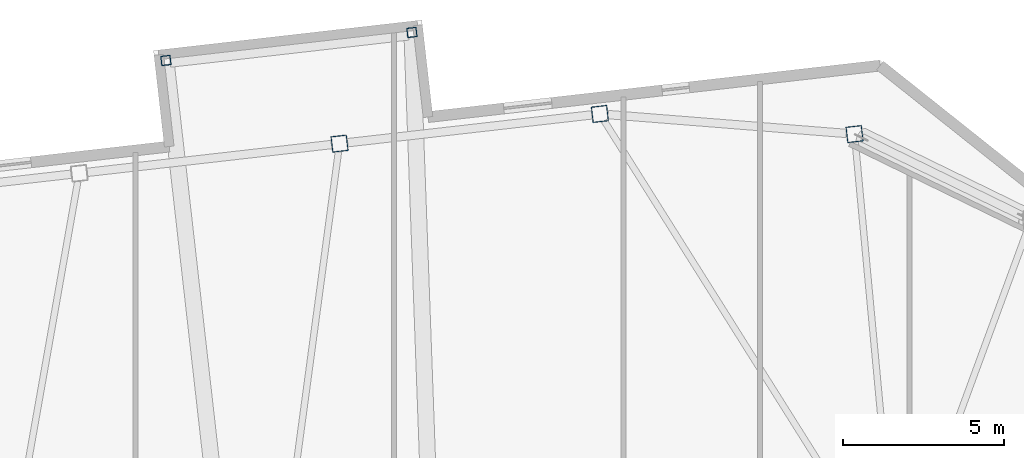
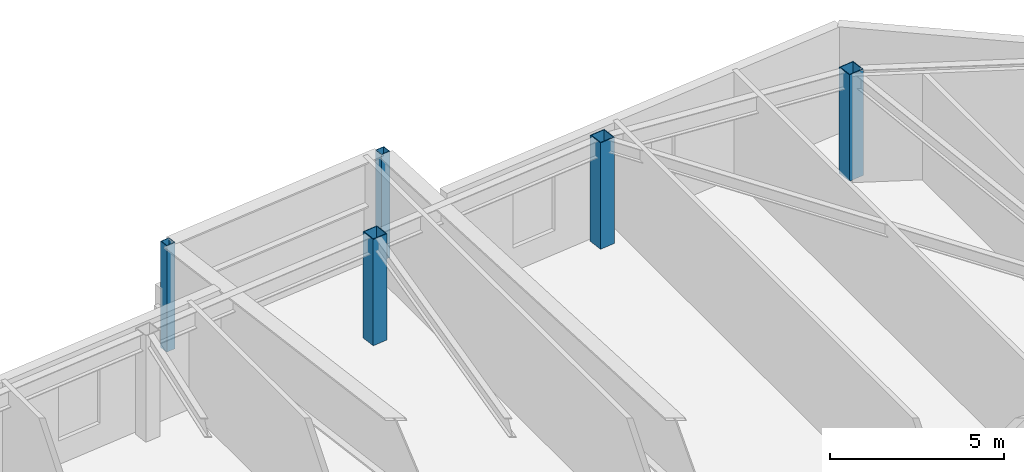
# One storey, part 3 of 19: 5 columns.
"""IFC4 building model written with IfcOpenShell, lengths in metres."""

from ifc_helpers import new_model, si_unit, direction, frame, origin, origin_2d, place, context, subcontext, project, spatial, hollow_rectangle, extrude, material, material_profile, profile_set, type_object, element, save


model = new_model("IFC4")

# Units and contexts
model_context = context("Model", 3, precision=1e-05, world=origin(), true_north=direction((0.0, 1.0)))
body_context = subcontext(model_context, "Body", "Model", "MODEL_VIEW")
ifc_project = project(units=[si_unit("LENGTHUNIT", "METRE"), si_unit("AREAUNIT", "SQUARE_METRE"), si_unit("VOLUMEUNIT", "CUBIC_METRE"), si_unit("PLANEANGLEUNIT", "RADIAN"), si_unit("MASSUNIT", "GRAM", prefix="KILO")], contexts=[model_context])

# Site, building, storey
site_placement = place(None, origin())
site = spatial("IfcSite", under=ifc_project, at=site_placement, CompositionType="ELEMENT")
building_placement = place(site_placement, origin())
building = spatial("IfcBuilding", under=site, at=building_placement, Name="Tavrogorsk Clinical Tower", CompositionType="ELEMENT")
storey_placement = place(building_placement, frame((0.0, 0.0, 243.0)))
storey = spatial("IfcBuildingStorey", under=building, at=storey_placement, Name="L56", CompositionType="ELEMENT", Elevation=243.0)

# Columns
ifc_material_1 = material(Name="Structural steel S390", Category="steel")
ifc_material_profile_1 = material_profile(ifc_material_1, hollow_rectangle(XDim=0.300048828125, YDim=0.300048828125, WallThickness=0.01611328125, at=origin_2d()), Name="SHS-300x300x16")
ifc_profile_set_1 = profile_set([ifc_material_profile_1], Name="Structural steel S390")
column_type_1 = type_object("IfcColumnType", Name="DayroomCol_SHS300", PredefinedType="COLUMN", material=ifc_profile_set_1)
for number, where, z_axis, x_axis, name in (
    (1, (1.77197265625, 29.54296875, 0.0), (0.0, 0.0, 1.0), (0.993571855677, 0.113203213768, 0.0), "L56 Day-Room Box Column DRB-08-L"),
    (2, (9.422607421875, 30.41455078125, 0.0), (0.0, 0.0, 1.0), (0.993571855677, 0.113203213768, 0.0), "L56 Day-Room Box Column DRB-08-R"),
):
    element("IfcColumn", number, at=place(storey_placement, frame(where, z_axis=z_axis, x_axis=x_axis)), inside=storey, type_object=column_type_1, Name=name, PredefinedType="COLUMN", context=body_context, shape_type="SweptSolid", body=[
        extrude(hollow_rectangle(XDim=0.300048828125, YDim=0.300048828125, WallThickness=0.01611328125, at=origin_2d()), origin(), (0.0, 0.0, 1.0), 3.739990234375),
    ])
ifc_material_2 = material(Name="Structural steel S440", Category="steel")
ifc_material_profile_2 = material_profile(ifc_material_2, hollow_rectangle(XDim=0.5, YDim=0.5, WallThickness=0.02490234375, at=origin_2d()), Name="BOX-500x500x25")
ifc_profile_set_2 = profile_set([ifc_material_profile_2], Name="Structural steel S440")
column_type_2 = type_object("IfcColumnType", Name="PerimCol_B4_BOX500", PredefinedType="COLUMN", material=ifc_profile_set_2)
for number, where, z_axis, x_axis, name in (
    (3, (23.188232421875, 27.25341796875, 0.0), (0.0, 0.0, 1.0), (0.993571855677, 0.113203213768, 0.0), "L56 Perimeter Column N1"),
    (4, (15.2685546875, 27.880126953125, 0.0), (0.0, 0.0, 1.0), (0.993571855677, 0.113203213768, 0.0), "L56 Perimeter Column N2"),
    (5, (7.17236328125, 26.95751953125, 0.0), (0.0, 0.0, 1.0), (0.993571855677, 0.113203213768, 0.0), "L56 Perimeter Column N3"),
):
    element("IfcColumn", number, at=place(storey_placement, frame(where, z_axis=z_axis, x_axis=x_axis)), inside=storey, type_object=column_type_2, Name=name, PredefinedType="COLUMN", context=body_context, shape_type="SweptSolid", body=[
        extrude(hollow_rectangle(XDim=0.5, YDim=0.5, WallThickness=0.02490234375, at=origin_2d()), origin(), (0.0, 0.0, 1.0), 3.739990234375),
    ])

save(model, "model.ifc")
